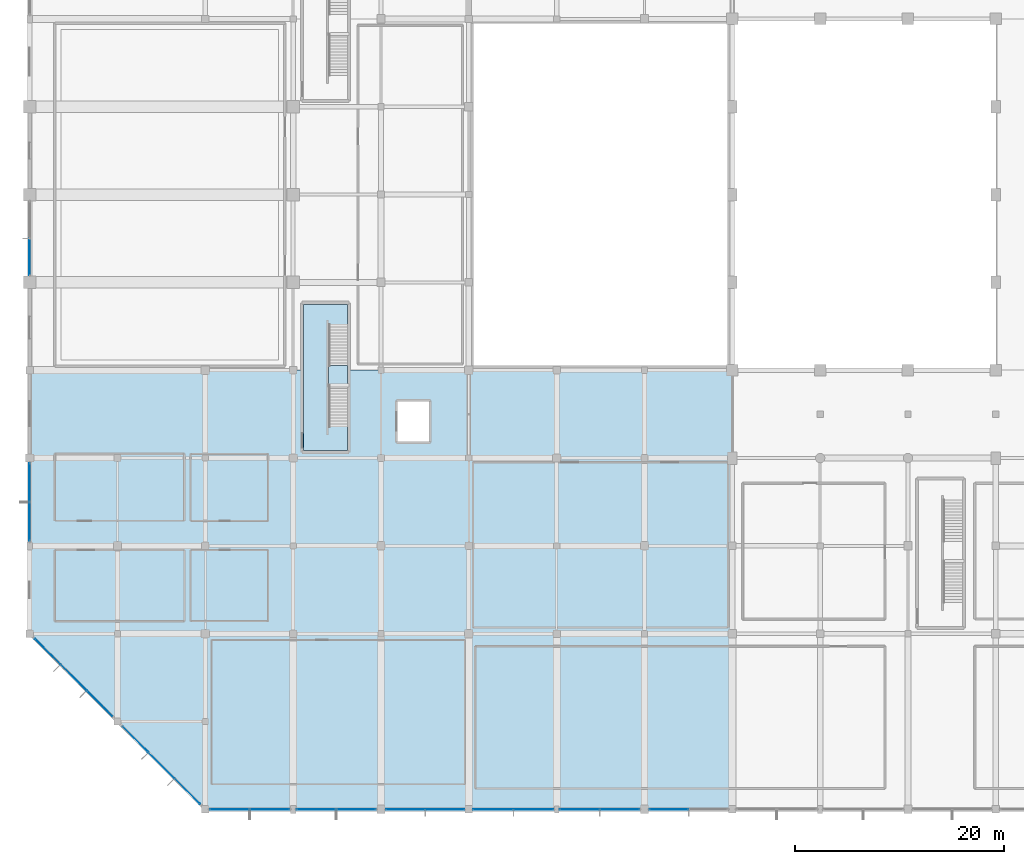
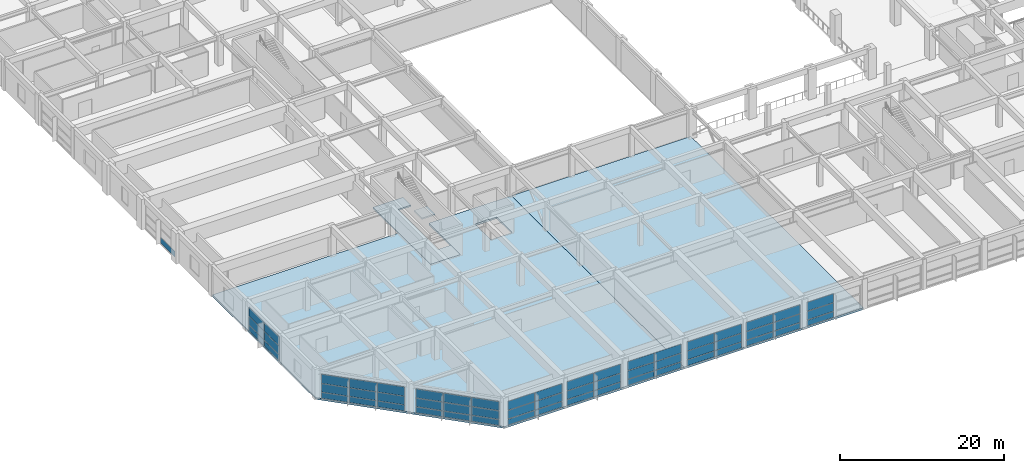
# One storey, part 43 of 65: 58 plates, 4 slabs, 11 elements without a shape of their own.
"""IFC4 building model written with IfcOpenShell, lengths in metres."""

from ifc_helpers import new_model, si_unit, direction, frame, origin, origin_2d, place, context, subcontext, project, spatial, polyline, rectangle, outline, extrude, material, layer, layer_set, type_object, element, aggregate, save


model = new_model("IFC4")

# Units and contexts
model_context = context("Model", 3, precision=1e-05, world=origin(), true_north=direction((0.0, 1.0)))
body_context = subcontext(model_context, "Body", "Model", "MODEL_VIEW")
ifc_project = project(units=[si_unit("LENGTHUNIT", "METRE"), si_unit("AREAUNIT", "SQUARE_METRE"), si_unit("VOLUMEUNIT", "CUBIC_METRE"), si_unit("PLANEANGLEUNIT", "RADIAN"), si_unit("MASSUNIT", "GRAM", prefix="KILO")], contexts=[model_context])

# Site, building, storey
site_placement = place(None, origin())
site = spatial("IfcSite", under=ifc_project, at=site_placement, CompositionType="ELEMENT")
building_placement = place(site_placement, origin())
building = spatial("IfcBuilding", under=site, at=building_placement, Name="Xuanlan Plaza Opera House", CompositionType="ELEMENT")
storey_placement = place(building_placement, frame((0.0, 0.0, 5.39990234375)))
storey = spatial("IfcBuildingStorey", under=building, at=storey_placement, Name="L01", CompositionType="ELEMENT", Elevation=5.39990234375)

# Curtain wall, plates
ifc_material_1 = material(Name="Anodised Aluminium 6063-T6 and Low-E Glass", Category="aluminium")
curtain_wall_type_1 = type_object("IfcCurtainWallType", Name="ENV-CW-CW-04", PredefinedType="USERDEFINED", material=ifc_material_1)
curtain_wall_1_placement = place(storey_placement, origin())
curtain_wall_1 = element("IfcCurtainWall", 1, at=curtain_wall_1_placement, inside=storey, type_object=curtain_wall_type_1, Name="Unitised Curtain Wall L01-001", ObjectType="UNITISED CURTAIN WALL", PredefinedType="USERDEFINED")
ifc_material_2 = material(Name="Laminated Acoustic Double Glazing", Category="glass")
ifc_layer_1 = layer(ifc_material_2, 0.028076171875)
ifc_layer_set_1 = layer_set([ifc_layer_1], Name="Laminated Acoustic Double Glazing")
plate_type_1 = type_object("IfcPlateType", Name="ENV-CWP-01", PredefinedType="CURTAIN_PANEL", material=ifc_layer_set_1)
plate_1_placement = place(storey_placement, frame((19.1298828125, 0.0, 0.090087890625), z_axis=(0.0, 0.0, 1.0), x_axis=(1.0, 0.0, 0.0)))
plate_1 = element("IfcPlate", 2, at=plate_1_placement, type_object=plate_type_1, Name="CW-04 panel 1.1", PredefinedType="CURTAIN_PANEL", context=body_context, shape_type="SweptSolid", body=[
    extrude(rectangle(XDim=3.760009765625, YDim=0.028076171875, at=origin_2d()), origin(), (0.0, 0.0, 1.0), 0.81494140625),
])
plate_2_placement = place(storey_placement, frame((19.1298828125, 0.0, 0.9951171875), z_axis=(0.0, 0.0, 1.0), x_axis=(1.0, 0.0, 0.0)))
plate_2 = element("IfcPlate", 3, at=plate_2_placement, type_object=plate_type_1, Name="CW-04 panel 1.2", PredefinedType="CURTAIN_PANEL", context=body_context, shape_type="SweptSolid", body=[
    extrude(rectangle(XDim=3.760009765625, YDim=0.028076171875, at=origin_2d()), origin(), (0.0, 0.0, 1.0), 1.2099609375),
])
plate_3_placement = place(storey_placement, frame((19.1298828125, 0.0, 2.295166015625), z_axis=(0.0, 0.0, 1.0), x_axis=(1.0, 0.0, 0.0)))
plate_3 = element("IfcPlate", 4, at=plate_3_placement, type_object=plate_type_1, Name="CW-04 panel 1.3", PredefinedType="CURTAIN_PANEL", context=body_context, shape_type="SweptSolid", body=[
    extrude(rectangle(XDim=3.760009765625, YDim=0.028076171875, at=origin_2d()), origin(), (0.0, 0.0, 1.0), 1.294921875),
])
plate_4_placement = place(storey_placement, frame((22.969970703125, 0.0, 0.090087890625), z_axis=(0.0, 0.0, 1.0), x_axis=(1.0, 0.0, 0.0)))
plate_4 = element("IfcPlate", 5, at=plate_4_placement, type_object=plate_type_1, Name="CW-04 panel 2.1", PredefinedType="CURTAIN_PANEL", context=body_context, shape_type="SweptSolid", body=[
    extrude(rectangle(XDim=3.760009765625, YDim=0.028076171875, at=origin_2d()), origin(), (0.0, 0.0, 1.0), 0.81494140625),
])
plate_5_placement = place(storey_placement, frame((22.969970703125, 0.0, 0.9951171875), z_axis=(0.0, 0.0, 1.0), x_axis=(1.0, 0.0, 0.0)))
plate_5 = element("IfcPlate", 6, at=plate_5_placement, type_object=plate_type_1, Name="CW-04 panel 2.2", PredefinedType="CURTAIN_PANEL", context=body_context, shape_type="SweptSolid", body=[
    extrude(rectangle(XDim=3.760009765625, YDim=0.028076171875, at=origin_2d()), origin(), (0.0, 0.0, 1.0), 1.2099609375),
])
plate_6_placement = place(storey_placement, frame((22.969970703125, 0.0, 2.295166015625), z_axis=(0.0, 0.0, 1.0), x_axis=(1.0, 0.0, 0.0)))
plate_6 = element("IfcPlate", 7, at=plate_6_placement, type_object=plate_type_1, Name="CW-04 panel 2.3", PredefinedType="CURTAIN_PANEL", context=body_context, shape_type="SweptSolid", body=[
    extrude(rectangle(XDim=3.760009765625, YDim=0.028076171875, at=origin_2d()), origin(), (0.0, 0.0, 1.0), 1.294921875),
])
aggregate(curtain_wall_1, [plate_1, plate_2, plate_3, plate_4, plate_5, plate_6])

curtain_wall_type_2 = type_object("IfcCurtainWallType", Name="ENV-CW-CW-05", PredefinedType="USERDEFINED", material=ifc_material_1)
curtain_wall_2_placement = place(storey_placement, origin())
curtain_wall_2 = element("IfcCurtainWall", 8, at=curtain_wall_2_placement, inside=storey, type_object=curtain_wall_type_2, Name="Acoustic Glazed Wall L01-006", ObjectType="ACOUSTIC GLAZED WALL", PredefinedType="USERDEFINED")
plate_7_placement = place(storey_placement, frame((61.142578125, 0.0, 0.090087890625), z_axis=(0.0, 0.0, 1.0), x_axis=(1.0, 0.0, 0.0)))
plate_7 = element("IfcPlate", 9, at=plate_7_placement, type_object=plate_type_1, Name="CW-05 panel 1.1", PredefinedType="CURTAIN_PANEL", context=body_context, shape_type="SweptSolid", body=[
    extrude(rectangle(XDim=3.68505859375, YDim=0.028076171875, at=origin_2d()), origin(), (0.0, 0.0, 1.0), 0.81494140625),
])
plate_8_placement = place(storey_placement, frame((61.142578125, 0.0, 0.9951171875), z_axis=(0.0, 0.0, 1.0), x_axis=(1.0, 0.0, 0.0)))
plate_8 = element("IfcPlate", 10, at=plate_8_placement, type_object=plate_type_1, Name="CW-05 panel 1.2", PredefinedType="CURTAIN_PANEL", context=body_context, shape_type="SweptSolid", body=[
    extrude(rectangle(XDim=3.68505859375, YDim=0.028076171875, at=origin_2d()), origin(), (0.0, 0.0, 1.0), 1.2099609375),
])
plate_9_placement = place(storey_placement, frame((61.142578125, 0.0, 2.295166015625), z_axis=(0.0, 0.0, 1.0), x_axis=(1.0, 0.0, 0.0)))
plate_9 = element("IfcPlate", 11, at=plate_9_placement, type_object=plate_type_1, Name="CW-05 panel 1.3", PredefinedType="CURTAIN_PANEL", context=body_context, shape_type="SweptSolid", body=[
    extrude(rectangle(XDim=3.68505859375, YDim=0.028076171875, at=origin_2d()), origin(), (0.0, 0.0, 1.0), 1.294921875),
])
aggregate(curtain_wall_2, [plate_7, plate_8, plate_9])

curtain_wall_type_3 = type_object("IfcCurtainWallType", Name="ENV-CW-CW-02", PredefinedType="USERDEFINED", material=ifc_material_1)
curtain_wall_3_placement = place(storey_placement, origin())
curtain_wall_3 = element("IfcCurtainWall", 12, at=curtain_wall_3_placement, inside=storey, type_object=curtain_wall_type_3, Name="Unitised Curtain Wall L01-003", ObjectType="UNITISED CURTAIN WALL", PredefinedType="USERDEFINED")
ifc_layer_2 = layer(ifc_material_2, 0.031982421875)
ifc_layer_set_2 = layer_set([ifc_layer_2], Name="Laminated Acoustic Double Glazing")
plate_type_2 = type_object("IfcPlateType", Name="ENV-CWP-02", PredefinedType="CURTAIN_PANEL", material=ifc_layer_set_2)
plate_10_placement = place(storey_placement, frame((35.938720703125, 0.0, 0.080078125), z_axis=(0.0, 0.0, 1.0), x_axis=(1.0, 0.0, 0.0)))
plate_10 = element("IfcPlate", 13, at=plate_10_placement, type_object=plate_type_2, Name="CW-02 panel 1.1", PredefinedType="CURTAIN_PANEL", context=body_context, shape_type="SweptSolid", body=[
    extrude(rectangle(XDim=3.70751953125, YDim=0.031982421875, at=origin_2d()), origin(), (0.0, 0.0, 1.0), 0.830078125),
])
plate_11_placement = place(storey_placement, frame((35.938720703125, 0.0, 0.990234375), z_axis=(0.0, 0.0, 1.0), x_axis=(1.0, 0.0, 0.0)))
plate_11 = element("IfcPlate", 14, at=plate_11_placement, type_object=plate_type_2, Name="CW-02 panel 1.2", PredefinedType="CURTAIN_PANEL", context=body_context, shape_type="SweptSolid", body=[
    extrude(rectangle(XDim=3.70751953125, YDim=0.031982421875, at=origin_2d()), origin(), (0.0, 0.0, 1.0), 1.219970703125),
])
plate_12_placement = place(storey_placement, frame((35.938720703125, 0.0, 2.2900390625), z_axis=(0.0, 0.0, 1.0), x_axis=(1.0, 0.0, 0.0)))
plate_12 = element("IfcPlate", 15, at=plate_12_placement, type_object=plate_type_2, Name="CW-02 panel 1.3", PredefinedType="CURTAIN_PANEL", context=body_context, shape_type="SweptSolid", body=[
    extrude(rectangle(XDim=3.70751953125, YDim=0.031982421875, at=origin_2d()), origin(), (0.0, 0.0, 1.0), 1.31005859375),
])
plate_13_placement = place(storey_placement, frame((39.711181640625, 0.0, 0.080078125), z_axis=(0.0, 0.0, 1.0), x_axis=(1.0, 0.0, 0.0)))
plate_13 = element("IfcPlate", 16, at=plate_13_placement, type_object=plate_type_2, Name="CW-02 panel 2.1", PredefinedType="CURTAIN_PANEL", context=body_context, shape_type="SweptSolid", body=[
    extrude(rectangle(XDim=3.70751953125, YDim=0.031982421875, at=origin_2d()), origin(), (0.0, 0.0, 1.0), 0.830078125),
])
plate_14_placement = place(storey_placement, frame((39.711181640625, 0.0, 0.990234375), z_axis=(0.0, 0.0, 1.0), x_axis=(1.0, 0.0, 0.0)))
plate_14 = element("IfcPlate", 17, at=plate_14_placement, type_object=plate_type_2, Name="CW-02 panel 2.2", PredefinedType="CURTAIN_PANEL", context=body_context, shape_type="SweptSolid", body=[
    extrude(rectangle(XDim=3.70751953125, YDim=0.031982421875, at=origin_2d()), origin(), (0.0, 0.0, 1.0), 1.219970703125),
])
plate_15_placement = place(storey_placement, frame((39.711181640625, 0.0, 2.2900390625), z_axis=(0.0, 0.0, 1.0), x_axis=(1.0, 0.0, 0.0)))
plate_15 = element("IfcPlate", 18, at=plate_15_placement, type_object=plate_type_2, Name="CW-02 panel 2.3", PredefinedType="CURTAIN_PANEL", context=body_context, shape_type="SweptSolid", body=[
    extrude(rectangle(XDim=3.70751953125, YDim=0.031982421875, at=origin_2d()), origin(), (0.0, 0.0, 1.0), 1.31005859375),
])
aggregate(curtain_wall_3, [plate_10, plate_11, plate_12, plate_13, plate_14, plate_15])

curtain_wall_4_placement = place(storey_placement, origin())
curtain_wall_4 = element("IfcCurtainWall", 19, at=curtain_wall_4_placement, inside=storey, type_object=curtain_wall_type_1, Name="Unitised Curtain Wall L01-005", ObjectType="UNITISED CURTAIN WALL", PredefinedType="USERDEFINED")
ifc_layer_3 = layer(ifc_material_2, 0.035888671875)
ifc_layer_set_3 = layer_set([ifc_layer_3], Name="Laminated Acoustic Double Glazing")
plate_type_3 = type_object("IfcPlateType", Name="ENV-CWP-03", PredefinedType="CURTAIN_PANEL", material=ifc_layer_set_3)
plate_16_placement = place(storey_placement, frame((52.597412109375, 0.0, 0.0751953125), z_axis=(0.0, 0.0, 1.0), x_axis=(1.0, 0.0, 0.0)))
plate_16 = element("IfcPlate", 20, at=plate_16_placement, type_object=plate_type_3, Name="CW-04 panel 1.1", PredefinedType="CURTAIN_PANEL", context=body_context, shape_type="SweptSolid", body=[
    extrude(rectangle(XDim=3.7548828125, YDim=0.035888671875, at=origin_2d()), origin(), (0.0, 0.0, 1.0), 0.83740234375),
])
plate_17_placement = place(storey_placement, frame((52.597412109375, 0.0, 0.987548828125), z_axis=(0.0, 0.0, 1.0), x_axis=(1.0, 0.0, 0.0)))
plate_17 = element("IfcPlate", 21, at=plate_17_placement, type_object=plate_type_3, Name="CW-04 panel 1.2", PredefinedType="CURTAIN_PANEL", context=body_context, shape_type="SweptSolid", body=[
    extrude(rectangle(XDim=3.7548828125, YDim=0.035888671875, at=origin_2d()), origin(), (0.0, 0.0, 1.0), 1.22509765625),
])
plate_18_placement = place(storey_placement, frame((52.597412109375, 0.0, 2.28759765625), z_axis=(0.0, 0.0, 1.0), x_axis=(1.0, 0.0, 0.0)))
plate_18 = element("IfcPlate", 22, at=plate_18_placement, type_object=plate_type_3, Name="CW-04 panel 1.3", PredefinedType="CURTAIN_PANEL", context=body_context, shape_type="SweptSolid", body=[
    extrude(rectangle(XDim=3.7548828125, YDim=0.035888671875, at=origin_2d()), origin(), (0.0, 0.0, 1.0), 1.3173828125),
])
plate_19_placement = place(storey_placement, frame((56.427490234375, 0.0, 0.0751953125), z_axis=(0.0, 0.0, 1.0), x_axis=(1.0, 0.0, 0.0)))
plate_19 = element("IfcPlate", 23, at=plate_19_placement, type_object=plate_type_3, Name="CW-04 panel 2.1", PredefinedType="CURTAIN_PANEL", context=body_context, shape_type="SweptSolid", body=[
    extrude(rectangle(XDim=3.7548828125, YDim=0.035888671875, at=origin_2d()), origin(), (0.0, 0.0, 1.0), 0.83740234375),
])
plate_20_placement = place(storey_placement, frame((56.427490234375, 0.0, 0.987548828125), z_axis=(0.0, 0.0, 1.0), x_axis=(1.0, 0.0, 0.0)))
plate_20 = element("IfcPlate", 24, at=plate_20_placement, type_object=plate_type_3, Name="CW-04 panel 2.2", PredefinedType="CURTAIN_PANEL", context=body_context, shape_type="SweptSolid", body=[
    extrude(rectangle(XDim=3.7548828125, YDim=0.035888671875, at=origin_2d()), origin(), (0.0, 0.0, 1.0), 1.22509765625),
])
plate_21_placement = place(storey_placement, frame((56.427490234375, 0.0, 2.28759765625), z_axis=(0.0, 0.0, 1.0), x_axis=(1.0, 0.0, 0.0)))
plate_21 = element("IfcPlate", 25, at=plate_21_placement, type_object=plate_type_3, Name="CW-04 panel 2.3", PredefinedType="CURTAIN_PANEL", context=body_context, shape_type="SweptSolid", body=[
    extrude(rectangle(XDim=3.7548828125, YDim=0.035888671875, at=origin_2d()), origin(), (0.0, 0.0, 1.0), 1.3173828125),
])
aggregate(curtain_wall_4, [plate_16, plate_17, plate_18, plate_19, plate_20, plate_21])

curtain_wall_type_4 = type_object("IfcCurtainWallType", Name="ENV-CW-CW-03", PredefinedType="USERDEFINED", material=ifc_material_1)
curtain_wall_5_placement = place(storey_placement, origin())
curtain_wall_5 = element("IfcCurtainWall", 26, at=curtain_wall_5_placement, inside=storey, type_object=curtain_wall_type_4, Name="Unitised Curtain Wall L01-060", ObjectType="UNITISED CURTAIN WALL", PredefinedType="USERDEFINED")
plate_22_placement = place(storey_placement, frame((10.112548828125, 6.6875, 0.0751953125), z_axis=(0.0, 0.0, 1.0), x_axis=(0.707106781187, -0.707106781187, 0.0)))
plate_22 = element("IfcPlate", 27, at=plate_22_placement, type_object=plate_type_3, Name="CW-03 panel 1.1", PredefinedType="CURTAIN_PANEL", context=body_context, shape_type="SweptSolid", body=[
    extrude(rectangle(XDim=3.424072265625, YDim=0.035888671875, at=origin_2d()), origin(), (0.0, 0.0, 1.0), 0.83740234375),
])
plate_23_placement = place(storey_placement, frame((10.112548828125, 6.6875, 0.987548828125), z_axis=(0.0, 0.0, 1.0), x_axis=(0.707106781187, -0.707106781187, 0.0)))
plate_23 = element("IfcPlate", 28, at=plate_23_placement, type_object=plate_type_3, Name="CW-03 panel 1.2", PredefinedType="CURTAIN_PANEL", context=body_context, shape_type="SweptSolid", body=[
    extrude(rectangle(XDim=3.424072265625, YDim=0.035888671875, at=origin_2d()), origin(), (0.0, 0.0, 1.0), 1.22509765625),
])
plate_24_placement = place(storey_placement, frame((10.112548828125, 6.6875, 2.28759765625), z_axis=(0.0, 0.0, 1.0), x_axis=(0.707106781187, -0.707106781187, 0.0)))
plate_24 = element("IfcPlate", 29, at=plate_24_placement, type_object=plate_type_3, Name="CW-03 panel 1.3", PredefinedType="CURTAIN_PANEL", context=body_context, shape_type="SweptSolid", body=[
    extrude(rectangle(XDim=3.424072265625, YDim=0.035888671875, at=origin_2d()), origin(), (0.0, 0.0, 1.0), 1.3173828125),
])
plate_25_placement = place(storey_placement, frame((12.60009765625, 4.199951171875, 0.0751953125), z_axis=(0.0, 0.0, 1.0), x_axis=(0.707106781187, -0.707106781187, 0.0)))
plate_25 = element("IfcPlate", 30, at=plate_25_placement, type_object=plate_type_3, Name="CW-03 panel 2.1", PredefinedType="CURTAIN_PANEL", context=body_context, shape_type="SweptSolid", body=[
    extrude(rectangle(XDim=3.46142578125, YDim=0.035888671875, at=origin_2d()), origin(), (0.0, 0.0, 1.0), 0.83740234375),
])
plate_26_placement = place(storey_placement, frame((12.60009765625, 4.199951171875, 0.987548828125), z_axis=(0.0, 0.0, 1.0), x_axis=(0.707106781187, -0.707106781187, 0.0)))
plate_26 = element("IfcPlate", 31, at=plate_26_placement, type_object=plate_type_3, Name="CW-03 panel 2.2", PredefinedType="CURTAIN_PANEL", context=body_context, shape_type="SweptSolid", body=[
    extrude(rectangle(XDim=3.46142578125, YDim=0.035888671875, at=origin_2d()), origin(), (0.0, 0.0, 1.0), 1.22509765625),
])
plate_27_placement = place(storey_placement, frame((12.60009765625, 4.199951171875, 2.28759765625), z_axis=(0.0, 0.0, 1.0), x_axis=(0.707106781187, -0.707106781187, 0.0)))
plate_27 = element("IfcPlate", 32, at=plate_27_placement, type_object=plate_type_3, Name="CW-03 panel 2.3", PredefinedType="CURTAIN_PANEL", context=body_context, shape_type="SweptSolid", body=[
    extrude(rectangle(XDim=3.46142578125, YDim=0.035888671875, at=origin_2d()), origin(), (0.0, 0.0, 1.0), 1.3173828125),
])
plate_28_placement = place(storey_placement, frame((15.08740234375, 1.712646484375, 0.0751953125), z_axis=(0.0, 0.0, 1.0), x_axis=(0.707106781187, -0.707106781187, 0.0)))
plate_28 = element("IfcPlate", 33, at=plate_28_placement, type_object=plate_type_3, Name="CW-03 panel 3.1", PredefinedType="CURTAIN_PANEL", context=body_context, shape_type="SweptSolid", body=[
    extrude(rectangle(XDim=3.424072265625, YDim=0.035888671875, at=origin_2d()), origin(), (0.0, 0.0, 1.0), 0.83740234375),
])
plate_29_placement = place(storey_placement, frame((15.08740234375, 1.712646484375, 0.987548828125), z_axis=(0.0, 0.0, 1.0), x_axis=(0.707106781187, -0.707106781187, 0.0)))
plate_29 = element("IfcPlate", 34, at=plate_29_placement, type_object=plate_type_3, Name="CW-03 panel 3.2", PredefinedType="CURTAIN_PANEL", context=body_context, shape_type="SweptSolid", body=[
    extrude(rectangle(XDim=3.424072265625, YDim=0.035888671875, at=origin_2d()), origin(), (0.0, 0.0, 1.0), 1.22509765625),
])
plate_30_placement = place(storey_placement, frame((15.08740234375, 1.712646484375, 2.28759765625), z_axis=(0.0, 0.0, 1.0), x_axis=(0.707106781187, -0.707106781187, 0.0)))
plate_30 = element("IfcPlate", 35, at=plate_30_placement, type_object=plate_type_3, Name="CW-03 panel 3.3", PredefinedType="CURTAIN_PANEL", context=body_context, shape_type="SweptSolid", body=[
    extrude(rectangle(XDim=3.424072265625, YDim=0.035888671875, at=origin_2d()), origin(), (0.0, 0.0, 1.0), 1.3173828125),
])
aggregate(curtain_wall_5, [plate_22, plate_23, plate_24, plate_25, plate_26, plate_27, plate_28, plate_29, plate_30])

curtain_wall_type_5 = type_object("IfcCurtainWallType", Name="ENV-CW-CW-01", PredefinedType="USERDEFINED", material=ifc_material_1)
curtain_wall_6_placement = place(storey_placement, origin())
curtain_wall_6 = element("IfcCurtainWall", 36, at=curtain_wall_6_placement, inside=storey, type_object=curtain_wall_type_5, Name="Unitised Curtain Wall L01-002", ObjectType="UNITISED CURTAIN WALL", PredefinedType="USERDEFINED")
ifc_layer_4 = layer(ifc_material_2, 0.0400390625)
ifc_layer_set_4 = layer_set([ifc_layer_4], Name="Laminated Acoustic Double Glazing")
plate_type_4 = type_object("IfcPlateType", Name="ENV-CWP-04", PredefinedType="CURTAIN_PANEL", material=ifc_layer_set_4)
plate_31_placement = place(storey_placement, frame((27.419921875, 0.0, 0.0703125), z_axis=(0.0, 0.0, 1.0), x_axis=(1.0, 0.0, 0.0)))
plate_31 = element("IfcPlate", 37, at=plate_31_placement, type_object=plate_type_4, Name="CW-01 panel 1.1", PredefinedType="CURTAIN_PANEL", context=body_context, shape_type="SweptSolid", body=[
    extrude(rectangle(XDim=3.719970703125, YDim=0.0400390625, at=origin_2d()), origin(), (0.0, 0.0, 1.0), 0.844970703125),
])
plate_32_placement = place(storey_placement, frame((27.419921875, 0.0, 0.985107421875), z_axis=(0.0, 0.0, 1.0), x_axis=(1.0, 0.0, 0.0)))
plate_32 = element("IfcPlate", 38, at=plate_32_placement, type_object=plate_type_4, Name="CW-01 panel 1.2", PredefinedType="CURTAIN_PANEL", context=body_context, shape_type="SweptSolid", body=[
    extrude(rectangle(XDim=3.719970703125, YDim=0.0400390625, at=origin_2d()), origin(), (0.0, 0.0, 1.0), 1.22998046875),
])
plate_33_placement = place(storey_placement, frame((27.419921875, 0.0, 2.28515625), z_axis=(0.0, 0.0, 1.0), x_axis=(1.0, 0.0, 0.0)))
plate_33 = element("IfcPlate", 39, at=plate_33_placement, type_object=plate_type_4, Name="CW-01 panel 1.3", PredefinedType="CURTAIN_PANEL", context=body_context, shape_type="SweptSolid", body=[
    extrude(rectangle(XDim=3.719970703125, YDim=0.0400390625, at=origin_2d()), origin(), (0.0, 0.0, 1.0), 1.324951171875),
])
plate_34_placement = place(storey_placement, frame((31.22998046875, 0.0, 0.0703125), z_axis=(0.0, 0.0, 1.0), x_axis=(1.0, 0.0, 0.0)))
plate_34 = element("IfcPlate", 40, at=plate_34_placement, type_object=plate_type_4, Name="CW-01 panel 2.1", PredefinedType="CURTAIN_PANEL", context=body_context, shape_type="SweptSolid", body=[
    extrude(rectangle(XDim=3.719970703125, YDim=0.0400390625, at=origin_2d()), origin(), (0.0, 0.0, 1.0), 0.844970703125),
])
plate_35_placement = place(storey_placement, frame((31.22998046875, 0.0, 0.985107421875), z_axis=(0.0, 0.0, 1.0), x_axis=(1.0, 0.0, 0.0)))
plate_35 = element("IfcPlate", 41, at=plate_35_placement, type_object=plate_type_4, Name="CW-01 panel 2.2", PredefinedType="CURTAIN_PANEL", context=body_context, shape_type="SweptSolid", body=[
    extrude(rectangle(XDim=3.719970703125, YDim=0.0400390625, at=origin_2d()), origin(), (0.0, 0.0, 1.0), 1.22998046875),
])
plate_36_placement = place(storey_placement, frame((31.22998046875, 0.0, 2.28515625), z_axis=(0.0, 0.0, 1.0), x_axis=(1.0, 0.0, 0.0)))
plate_36 = element("IfcPlate", 42, at=plate_36_placement, type_object=plate_type_4, Name="CW-01 panel 2.3", PredefinedType="CURTAIN_PANEL", context=body_context, shape_type="SweptSolid", body=[
    extrude(rectangle(XDim=3.719970703125, YDim=0.0400390625, at=origin_2d()), origin(), (0.0, 0.0, 1.0), 1.324951171875),
])
aggregate(curtain_wall_6, [plate_31, plate_32, plate_33, plate_34, plate_35, plate_36])

curtain_wall_7_placement = place(storey_placement, origin())
curtain_wall_7 = element("IfcCurtainWall", 43, at=curtain_wall_7_placement, inside=storey, type_object=curtain_wall_type_1, Name="Unitised Curtain Wall L01-057", ObjectType="UNITISED CURTAIN WALL", PredefinedType="USERDEFINED")
plate_37_placement = place(storey_placement, frame((0.0, 31.26123046875, 0.0703125), z_axis=(0.0, 0.0, 1.0), x_axis=(0.0, -1.0, 0.0)))
plate_37 = element("IfcPlate", 44, at=plate_37_placement, type_object=plate_type_4, Name="CW-04 panel 1.1", PredefinedType="CURTAIN_PANEL", context=body_context, shape_type="SweptSolid", body=[
    extrude(rectangle(XDim=3.657470703125, YDim=0.0400390625, at=origin_2d()), origin(), (0.0, 0.0, 1.0), 0.844970703125),
])
plate_38_placement = place(storey_placement, frame((0.0, 31.26123046875, 0.985107421875), z_axis=(0.0, 0.0, 1.0), x_axis=(0.0, -1.0, 0.0)))
plate_38 = element("IfcPlate", 45, at=plate_38_placement, type_object=plate_type_4, Name="CW-04 panel 1.2", PredefinedType="CURTAIN_PANEL", context=body_context, shape_type="SweptSolid", body=[
    extrude(rectangle(XDim=3.657470703125, YDim=0.0400390625, at=origin_2d()), origin(), (0.0, 0.0, 1.0), 1.22998046875),
])
plate_39_placement = place(storey_placement, frame((0.0, 31.26123046875, 2.28515625), z_axis=(0.0, 0.0, 1.0), x_axis=(0.0, -1.0, 0.0)))
plate_39 = element("IfcPlate", 46, at=plate_39_placement, type_object=plate_type_4, Name="CW-04 panel 1.3", PredefinedType="CURTAIN_PANEL", context=body_context, shape_type="SweptSolid", body=[
    extrude(rectangle(XDim=3.657470703125, YDim=0.0400390625, at=origin_2d()), origin(), (0.0, 0.0, 1.0), 1.324951171875),
])
plate_40_placement = place(storey_placement, frame((0.0, 27.513671875, 0.0703125), z_axis=(0.0, 0.0, 1.0), x_axis=(0.0, -1.0, 0.0)))
plate_40 = element("IfcPlate", 47, at=plate_40_placement, type_object=plate_type_4, Name="CW-04 panel 2.1", PredefinedType="CURTAIN_PANEL", context=body_context, shape_type="SweptSolid", body=[
    extrude(rectangle(XDim=3.657470703125, YDim=0.0400390625, at=origin_2d()), origin(), (0.0, 0.0, 1.0), 0.844970703125),
])
plate_41_placement = place(storey_placement, frame((0.0, 27.513671875, 0.985107421875), z_axis=(0.0, 0.0, 1.0), x_axis=(0.0, -1.0, 0.0)))
plate_41 = element("IfcPlate", 48, at=plate_41_placement, type_object=plate_type_4, Name="CW-04 panel 2.2", PredefinedType="CURTAIN_PANEL", context=body_context, shape_type="SweptSolid", body=[
    extrude(rectangle(XDim=3.657470703125, YDim=0.0400390625, at=origin_2d()), origin(), (0.0, 0.0, 1.0), 1.22998046875),
])
plate_42_placement = place(storey_placement, frame((0.0, 27.513671875, 2.28515625), z_axis=(0.0, 0.0, 1.0), x_axis=(0.0, -1.0, 0.0)))
plate_42 = element("IfcPlate", 49, at=plate_42_placement, type_object=plate_type_4, Name="CW-04 panel 2.3", PredefinedType="CURTAIN_PANEL", context=body_context, shape_type="SweptSolid", body=[
    extrude(rectangle(XDim=3.657470703125, YDim=0.0400390625, at=origin_2d()), origin(), (0.0, 0.0, 1.0), 1.324951171875),
])
aggregate(curtain_wall_7, [plate_37, plate_38, plate_39, plate_40, plate_41, plate_42])

curtain_wall_8_placement = place(storey_placement, origin())
curtain_wall_8 = element("IfcCurtainWall", 50, at=curtain_wall_8_placement, inside=storey, type_object=curtain_wall_type_4, Name="Unitised Curtain Wall L01-004", ObjectType="UNITISED CURTAIN WALL", PredefinedType="USERDEFINED")
ifc_layer_5 = layer(ifc_material_2, 0.0439453125)
ifc_layer_set_5 = layer_set([ifc_layer_5], Name="Laminated Acoustic Double Glazing")
plate_type_5 = type_object("IfcPlateType", Name="ENV-CWP-05", PredefinedType="CURTAIN_PANEL", material=ifc_layer_set_5)
plate_43_placement = place(storey_placement, frame((44.333740234375, 0.0, 0.065185546875), z_axis=(0.0, 0.0, 1.0), x_axis=(1.0, 0.0, 0.0)))
plate_43 = element("IfcPlate", 51, at=plate_43_placement, type_object=plate_type_5, Name="CW-03 panel 1.1", PredefinedType="CURTAIN_PANEL", context=body_context, shape_type="SweptSolid", body=[
    extrude(rectangle(XDim=3.78759765625, YDim=0.0439453125, at=origin_2d()), origin(), (0.0, 0.0, 1.0), 0.8525390625),
])
plate_44_placement = place(storey_placement, frame((44.333740234375, 0.0, 0.982421875), z_axis=(0.0, 0.0, 1.0), x_axis=(1.0, 0.0, 0.0)))
plate_44 = element("IfcPlate", 52, at=plate_44_placement, type_object=plate_type_5, Name="CW-03 panel 1.2", PredefinedType="CURTAIN_PANEL", context=body_context, shape_type="SweptSolid", body=[
    extrude(rectangle(XDim=3.78759765625, YDim=0.0439453125, at=origin_2d()), origin(), (0.0, 0.0, 1.0), 1.235107421875),
])
plate_45_placement = place(storey_placement, frame((44.333740234375, 0.0, 2.282470703125), z_axis=(0.0, 0.0, 1.0), x_axis=(1.0, 0.0, 0.0)))
plate_45 = element("IfcPlate", 53, at=plate_45_placement, type_object=plate_type_5, Name="CW-03 panel 1.3", PredefinedType="CURTAIN_PANEL", context=body_context, shape_type="SweptSolid", body=[
    extrude(rectangle(XDim=3.78759765625, YDim=0.0439453125, at=origin_2d()), origin(), (0.0, 0.0, 1.0), 1.33251953125),
])
plate_46_placement = place(storey_placement, frame((48.191162109375, 0.0, 0.065185546875), z_axis=(0.0, 0.0, 1.0), x_axis=(1.0, 0.0, 0.0)))
plate_46 = element("IfcPlate", 54, at=plate_46_placement, type_object=plate_type_5, Name="CW-03 panel 2.1", PredefinedType="CURTAIN_PANEL", context=body_context, shape_type="SweptSolid", body=[
    extrude(rectangle(XDim=3.78759765625, YDim=0.0439453125, at=origin_2d()), origin(), (0.0, 0.0, 1.0), 0.8525390625),
])
plate_47_placement = place(storey_placement, frame((48.191162109375, 0.0, 0.982421875), z_axis=(0.0, 0.0, 1.0), x_axis=(1.0, 0.0, 0.0)))
plate_47 = element("IfcPlate", 55, at=plate_47_placement, type_object=plate_type_5, Name="CW-03 panel 2.2", PredefinedType="CURTAIN_PANEL", context=body_context, shape_type="SweptSolid", body=[
    extrude(rectangle(XDim=3.78759765625, YDim=0.0439453125, at=origin_2d()), origin(), (0.0, 0.0, 1.0), 1.235107421875),
])
plate_48_placement = place(storey_placement, frame((48.191162109375, 0.0, 2.282470703125), z_axis=(0.0, 0.0, 1.0), x_axis=(1.0, 0.0, 0.0)))
plate_48 = element("IfcPlate", 56, at=plate_48_placement, type_object=plate_type_5, Name="CW-03 panel 2.3", PredefinedType="CURTAIN_PANEL", context=body_context, shape_type="SweptSolid", body=[
    extrude(rectangle(XDim=3.78759765625, YDim=0.0439453125, at=origin_2d()), origin(), (0.0, 0.0, 1.0), 1.33251953125),
])
aggregate(curtain_wall_8, [plate_43, plate_44, plate_45, plate_46, plate_47, plate_48])

# Curtain wall, plate
curtain_wall_9_placement = place(storey_placement, origin())
curtain_wall_9 = element("IfcCurtainWall", 57, at=curtain_wall_9_placement, inside=storey, type_object=curtain_wall_type_5, Name="Unitised Curtain Wall L01-054", ObjectType="UNITISED CURTAIN WALL", PredefinedType="USERDEFINED")
plate_49_placement = place(storey_placement, frame((0.0, 52.827392578125, 0.065185546875), z_axis=(0.0, 0.0, 1.0), x_axis=(0.0, -1.0, 0.0)))
plate_49 = element("IfcPlate", 58, at=plate_49_placement, type_object=plate_type_5, Name="CW-01 panel 2.1", PredefinedType="CURTAIN_PANEL", context=body_context, shape_type="SweptSolid", body=[
    extrude(rectangle(XDim=3.47509765625, YDim=0.0439453125, at=origin_2d()), origin(), (0.0, 0.0, 1.0), 0.8525390625),
])
aggregate(curtain_wall_9, [plate_49])

# Curtain wall, plates
curtain_wall_10_placement = place(storey_placement, origin())
curtain_wall_10 = element("IfcCurtainWall", 59, at=curtain_wall_10_placement, inside=storey, type_object=curtain_wall_type_3, Name="Unitised Curtain Wall L01-059", ObjectType="UNITISED CURTAIN WALL", PredefinedType="USERDEFINED")
plate_50_placement = place(storey_placement, frame((1.711669921875, 15.08837890625, 0.065185546875), z_axis=(0.0, 0.0, 1.0), x_axis=(0.707106781187, -0.707106781187, 0.0)))
plate_50 = element("IfcPlate", 60, at=plate_50_placement, type_object=plate_type_5, Name="CW-02 panel 1.1", PredefinedType="CURTAIN_PANEL", context=body_context, shape_type="SweptSolid", body=[
    extrude(rectangle(XDim=3.431396484375, YDim=0.0439453125, at=origin_2d()), origin(), (0.0, 0.0, 1.0), 0.8525390625),
])
plate_51_placement = place(storey_placement, frame((1.711669921875, 15.08837890625, 0.982421875), z_axis=(0.0, 0.0, 1.0), x_axis=(0.707106781187, -0.707106781187, 0.0)))
plate_51 = element("IfcPlate", 61, at=plate_51_placement, type_object=plate_type_5, Name="CW-02 panel 1.2", PredefinedType="CURTAIN_PANEL", context=body_context, shape_type="SweptSolid", body=[
    extrude(rectangle(XDim=3.431396484375, YDim=0.0439453125, at=origin_2d()), origin(), (0.0, 0.0, 1.0), 1.235107421875),
])
plate_52_placement = place(storey_placement, frame((1.711669921875, 15.08837890625, 2.282470703125), z_axis=(0.0, 0.0, 1.0), x_axis=(0.707106781187, -0.707106781187, 0.0)))
plate_52 = element("IfcPlate", 62, at=plate_52_placement, type_object=plate_type_5, Name="CW-02 panel 1.3", PredefinedType="CURTAIN_PANEL", context=body_context, shape_type="SweptSolid", body=[
    extrude(rectangle(XDim=3.431396484375, YDim=0.0439453125, at=origin_2d()), origin(), (0.0, 0.0, 1.0), 1.33251953125),
])
plate_53_placement = place(storey_placement, frame((4.199951171875, 12.60009765625, 0.065185546875), z_axis=(0.0, 0.0, 1.0), x_axis=(0.707106781187, -0.707106781187, 0.0)))
plate_53 = element("IfcPlate", 63, at=plate_53_placement, type_object=plate_type_5, Name="CW-02 panel 2.1", PredefinedType="CURTAIN_PANEL", context=body_context, shape_type="SweptSolid", body=[
    extrude(rectangle(XDim=3.466552734375, YDim=0.0439453125, at=origin_2d()), origin(), (0.0, 0.0, 1.0), 0.8525390625),
])
plate_54_placement = place(storey_placement, frame((4.199951171875, 12.60009765625, 0.982421875), z_axis=(0.0, 0.0, 1.0), x_axis=(0.707106781187, -0.707106781187, 0.0)))
plate_54 = element("IfcPlate", 64, at=plate_54_placement, type_object=plate_type_5, Name="CW-02 panel 2.2", PredefinedType="CURTAIN_PANEL", context=body_context, shape_type="SweptSolid", body=[
    extrude(rectangle(XDim=3.466552734375, YDim=0.0439453125, at=origin_2d()), origin(), (0.0, 0.0, 1.0), 1.235107421875),
])
plate_55_placement = place(storey_placement, frame((4.199951171875, 12.60009765625, 2.282470703125), z_axis=(0.0, 0.0, 1.0), x_axis=(0.707106781187, -0.707106781187, 0.0)))
plate_55 = element("IfcPlate", 65, at=plate_55_placement, type_object=plate_type_5, Name="CW-02 panel 2.3", PredefinedType="CURTAIN_PANEL", context=body_context, shape_type="SweptSolid", body=[
    extrude(rectangle(XDim=3.466552734375, YDim=0.0439453125, at=origin_2d()), origin(), (0.0, 0.0, 1.0), 1.33251953125),
])
plate_56_placement = place(storey_placement, frame((6.688232421875, 10.11181640625, 0.065185546875), z_axis=(0.0, 0.0, 1.0), x_axis=(0.707106781187, -0.707106781187, 0.0)))
plate_56 = element("IfcPlate", 66, at=plate_56_placement, type_object=plate_type_5, Name="CW-02 panel 3.1", PredefinedType="CURTAIN_PANEL", context=body_context, shape_type="SweptSolid", body=[
    extrude(rectangle(XDim=3.431396484375, YDim=0.0439453125, at=origin_2d()), origin(), (0.0, 0.0, 1.0), 0.8525390625),
])
plate_57_placement = place(storey_placement, frame((6.688232421875, 10.11181640625, 0.982421875), z_axis=(0.0, 0.0, 1.0), x_axis=(0.707106781187, -0.707106781187, 0.0)))
plate_57 = element("IfcPlate", 67, at=plate_57_placement, type_object=plate_type_5, Name="CW-02 panel 3.2", PredefinedType="CURTAIN_PANEL", context=body_context, shape_type="SweptSolid", body=[
    extrude(rectangle(XDim=3.431396484375, YDim=0.0439453125, at=origin_2d()), origin(), (0.0, 0.0, 1.0), 1.235107421875),
])
plate_58_placement = place(storey_placement, frame((6.688232421875, 10.11181640625, 2.282470703125), z_axis=(0.0, 0.0, 1.0), x_axis=(0.707106781187, -0.707106781187, 0.0)))
plate_58 = element("IfcPlate", 68, at=plate_58_placement, type_object=plate_type_5, Name="CW-02 panel 3.3", PredefinedType="CURTAIN_PANEL", context=body_context, shape_type="SweptSolid", body=[
    extrude(rectangle(XDim=3.431396484375, YDim=0.0439453125, at=origin_2d()), origin(), (0.0, 0.0, 1.0), 1.33251953125),
])
aggregate(curtain_wall_10, [plate_50, plate_51, plate_52, plate_53, plate_54, plate_55, plate_56, plate_57, plate_58])

# Stair, slabs
ifc_material_3 = material(Name="Concrete C40", Category="concrete")
stair_type = type_object("IfcStairType", Name="INT-ST-STR-P180", PredefinedType="STRAIGHT_RUN_STAIR", material=ifc_material_3)
stair_placement = place(storey_placement, origin())
stair = element("IfcStair", 69, at=stair_placement, inside=storey, type_object=stair_type, Name="Protected Exit Stair ST-P1 L01", PredefinedType="STRAIGHT_RUN_STAIR")
ifc_layer_6 = layer(ifc_material_3, 0.199951171875)
ifc_layer_set_6 = layer_set([ifc_layer_6], Name="Concrete C40")
slab_type_1 = type_object("IfcSlabType", Name="INT-SLB-LND-20", PredefinedType="LANDING", material=ifc_layer_set_6)
slab_1_placement = place(storey_placement, frame((0.0, 0.0, 2.050048828125)))
slab_1 = element("IfcSlab", 70, at=slab_1_placement, type_object=slab_type_1, Name="ST-P1-L01 landing 1", PredefinedType="LANDING", context=body_context, shape_type="SweptSolid", body=[
    extrude(outline(polyline([(28.60009765625, 40.534912109375), (30.39990234375, 40.534912109375), (30.39990234375, 42.43505859375), (28.60009765625, 42.43505859375), (28.60009765625, 40.534912109375)])), origin(), (0.0, 0.0, 1.0), 0.199951171875),
])
slab_2_placement = place(storey_placement, frame((0.0, 0.0, -0.199951171875)))
slab_2 = element("IfcSlab", 71, at=slab_2_placement, type_object=slab_type_1, Name="ST-P1-L01 landing 2", PredefinedType="LANDING", context=body_context, shape_type="SweptSolid", body=[
    extrude(outline(polyline([(26.199951171875, 34.300048828125), (30.39990234375, 34.300048828125), (30.39990234375, 36.594970703125), (28.60009765625, 36.594970703125), (28.60009765625, 46.375), (30.39990234375, 46.375), (30.39990234375, 48.300048828125), (26.199951171875, 48.300048828125), (26.199951171875, 34.300048828125)])), origin(), (0.0, 0.0, 1.0), 0.199951171875),
])
aggregate(stair, [slab_1, slab_2])

# Slabs
ifc_layer_7 = layer(ifc_material_3, 0.260009765625)
ifc_layer_set_7 = layer_set([ifc_layer_7], Name="Concrete C40")
slab_type_2 = type_object("IfcSlabType", Name="STR-SLB-SL-02", PredefinedType="FLOOR", material=ifc_layer_set_7)
slab_3_placement = place(storey_placement, frame((0.0, 0.0, -0.260009765625)))
element("IfcSlab", 72, at=slab_3_placement, inside=storey, type_object=slab_type_2, Name="Storey L01 Structural Floor Slab Zone 01", PredefinedType="FLOOR", context=body_context, shape_type="SweptSolid", body=[
    extrude(outline(polyline([(16.800048828125, 0.0), (0.0, 16.800048828125), (0.0, 42.0), (26.199951171875, 42.0), (26.199951171875, 34.300048828125), (30.39990234375, 34.300048828125), (30.39990234375, 42.0), (42.0, 42.0), (42.0, 0.0), (16.800048828125, 0.0)]), holes=[polyline([(38.199951171875, 35.199951171875), (38.199951171875, 39.0), (35.199951171875, 39.0), (35.199951171875, 35.199951171875), (38.199951171875, 35.199951171875)])]), origin(), (0.0, 0.0, 1.0), 0.260009765625),
])
slab_4_placement = place(storey_placement, frame((0.0, 0.0, -0.260009765625)))
element("IfcSlab", 73, at=slab_4_placement, inside=storey, type_object=slab_type_2, Name="Storey L01 Structural Floor Slab Zone 04", PredefinedType="FLOOR", context=body_context, shape_type="SweptSolid", body=[
    extrude(outline(polyline([(42.0, 0.0), (42.0, 42.0), (67.199951171875, 42.0), (67.199951171875, 0.0), (42.0, 0.0)])), origin(), (0.0, 0.0, 1.0), 0.260009765625),
])

save(model, "model.ifc")
